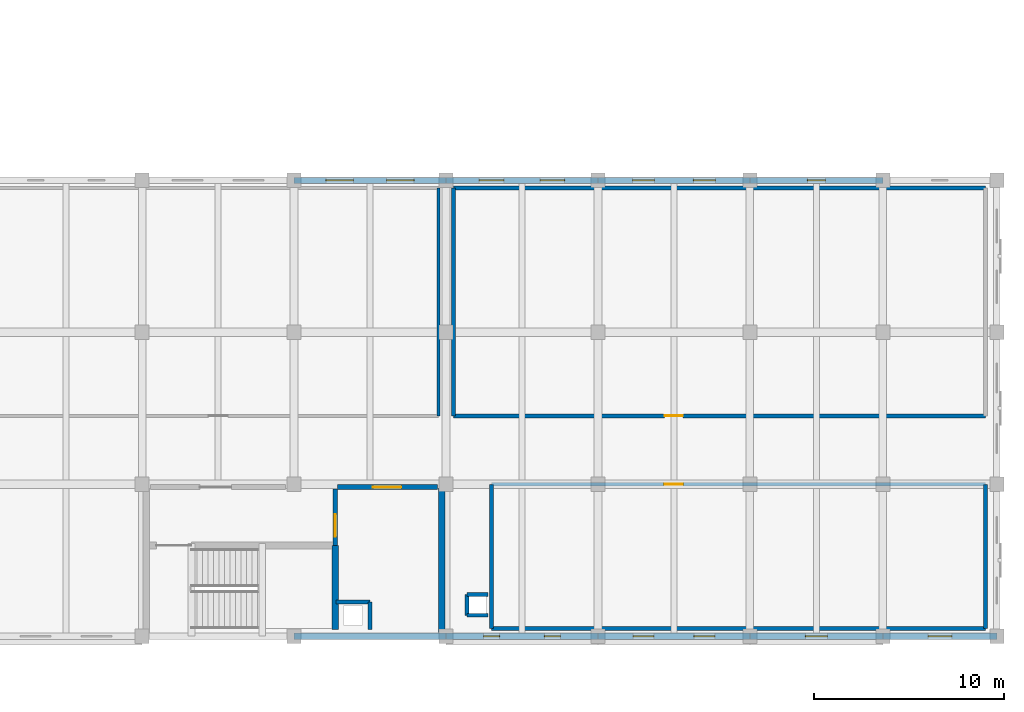
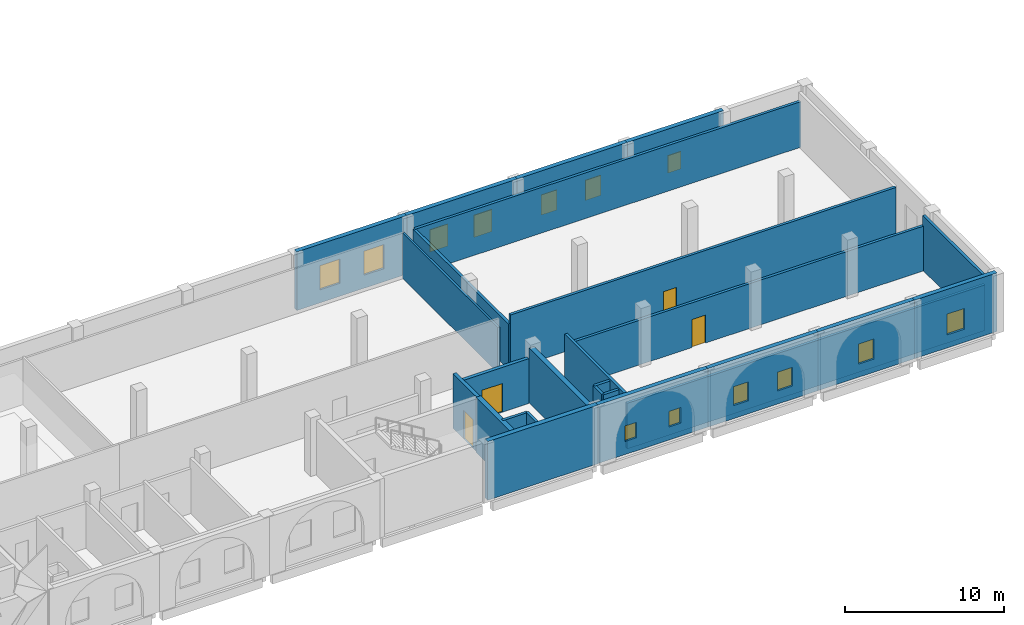
# One storey, part 35 of 53: 26 walls, 13 windows, 4 doors, 17 openings.
"""IFC4 building model written with IfcOpenShell, lengths in metres."""

import ifcopenshell
import ifcopenshell.guid

model = None  # the IFC model being written
_history = None  # IfcOwnerHistory: only IFC2X3 demands one
_inside = {}  # id of a spatial element -> (the spatial element, [elements in it])
_under = {}  # id of a project, library or spatial element -> (it, [spatial elements below it])
_declared = {}  # id of a project -> (the project, [libraries it declares])
_typed = {}  # id of a type object -> (the type object, [elements of that type])
_made_of = {}  # id of a material, layer set ... -> (it, [elements and type objects made of it])


def new_model(schema):
    """Start an empty IFC model of exactly this schema.

    Asked for "IFC4X3", IfcOpenShell would pick the latest addendum, in which some entities
    have other attributes; the version numbers below select the first issue.
    IFC2X3 requires an IfcOwnerHistory on every rooted entity: one is made here for all.
    """
    global model, _history
    if schema == "IFC4X3":
        model = ifcopenshell.file(schema_version=(4, 3, 0, 0))
    else:
        model = ifcopenshell.file(schema=schema)
    _inside.clear()
    _under.clear()
    _declared.clear()
    _typed.clear()
    _made_of.clear()
    _history = None
    if model.schema == "IFC2X3":
        org = make("IfcOrganization", Name="unknown")
        user = make(
            "IfcPersonAndOrganization",
            ThePerson=make("IfcPerson", FamilyName="unknown"),
            TheOrganization=org,
        )
        app = make(
            "IfcApplication",
            ApplicationDeveloper=org,
            Version="unknown",
            ApplicationFullName="unknown",
            ApplicationIdentifier="unknown",
        )
        _history = make(
            "IfcOwnerHistory",
            OwningUser=user,
            OwningApplication=app,
            ChangeAction="ADDED",
            CreationDate=0,
        )
    return model


def make(cls, **values):
    """One entity of the class cls with the attributes given. An attribute that is None is left unset."""
    return model.create_entity(
        cls, **{name: value for name, value in values.items() if value is not None}
    )


def rooted(cls, **values):
    """An entity with a GlobalId (a new one), such as an element, a storey or a relation."""
    return make(cls, GlobalId=ifcopenshell.guid.new(), OwnerHistory=_history, **values)


def si_unit(unit_type, name, prefix=None):
    """IfcSIUnit, for example si_unit("LENGTHUNIT", "METRE", prefix="MILLI")."""
    return make("IfcSIUnit", UnitType=unit_type, Prefix=prefix, Name=name)


def assignment(units):
    """IfcUnitAssignment: the units of a project."""
    return None if units is None else make("IfcUnitAssignment", Units=units)


def point(xyz):
    """IfcCartesianPoint."""
    return None if xyz is None else make("IfcCartesianPoint", Coordinates=xyz)


def direction(xyz):
    """IfcDirection."""
    return None if xyz is None else make("IfcDirection", DirectionRatios=xyz)


def frame(location, z_axis=None, x_axis=None):
    """IfcAxis2Placement3D, a coordinate frame: its origin and axes. An axis left out is left unset."""
    return make(
        "IfcAxis2Placement3D",
        Location=point(location),
        Axis=direction(z_axis),
        RefDirection=direction(x_axis),
    )


def frame_2d(location, x_axis=None):
    """IfcAxis2Placement2D, a coordinate frame in the plane: its origin and x axis."""
    return make(
        "IfcAxis2Placement2D", Location=point(location), RefDirection=direction(x_axis)
    )


def origin():
    """The frame at (0, 0, 0) with its axes left unset."""
    return frame((0.0, 0.0, 0.0))


def place(relative_to, where):
    """IfcLocalPlacement: puts the frame where relative to a parent placement (None: the world)."""
    return make(
        "IfcLocalPlacement", PlacementRelTo=relative_to, RelativePlacement=where
    )


def context(
    kind, dimensions, precision=None, world=None, true_north=None, identifier=None
):
    """IfcGeometricRepresentationContext, for example the 3D "Model" context."""
    return make(
        "IfcGeometricRepresentationContext",
        ContextIdentifier=identifier,
        ContextType=kind,
        CoordinateSpaceDimension=dimensions,
        Precision=precision,
        WorldCoordinateSystem=world,
        TrueNorth=true_north,
    )


def subcontext(parent, identifier, kind, view, scale=None):
    """IfcGeometricRepresentationSubContext, for example "Body" below "Model"."""
    return make(
        "IfcGeometricRepresentationSubContext",
        ContextIdentifier=identifier,
        ContextType=kind,
        ParentContext=parent,
        TargetScale=scale,
        TargetView=view,
    )


def project(units=None, contexts=None):
    """IfcProject with its units and contexts."""
    return rooted(
        "IfcProject",
        Name="project",
        RepresentationContexts=contexts,
        UnitsInContext=assignment(units),
    )


def spatial(cls, under=None, at=None, **own):
    """A site, building, storey or space (cls), placed at a placement, below another one or the project."""
    s = rooted(cls, ObjectPlacement=at, **own)
    if under is not None:
        _under.setdefault(under.id(), (under, []))[1].append(s)
    return s


def profile(cls, at=None, kind="AREA", **sizes):
    """A parametric profile (cls). Its sizes go by their IFC names, for example OverallWidth=200.0."""
    return make(cls, ProfileType=kind, Position=at, **sizes)


def rectangle(**sizes):
    """IfcRectangleProfileDef."""
    return profile("IfcRectangleProfileDef", **sizes)


def extrude(swept, where, along, depth):
    """IfcExtrudedAreaSolid: the profile swept, set in the frame where, extruded along a direction by depth."""
    return make(
        "IfcExtrudedAreaSolid",
        SweptArea=swept,
        Position=where,
        ExtrudedDirection=direction(along),
        Depth=depth,
    )


def shape(context_of_items, identifier, shape_type, items):
    """IfcShapeRepresentation: the items that make up one representation, for example the "Body"."""
    return make(
        "IfcShapeRepresentation",
        ContextOfItems=context_of_items,
        RepresentationIdentifier=identifier,
        RepresentationType=shape_type,
        Items=items,
    )


def material(Name=None, Category=None):
    """IfcMaterial."""
    return make("IfcMaterial", Name=Name, Category=Category)


def layer(
    of_material, thickness, ventilated=None, Name=None, Category=None, Priority=None
):
    """IfcMaterialLayer: one layer of a wall or slab, of a material (None: an air gap)."""
    return make(
        "IfcMaterialLayer",
        Material=of_material,
        LayerThickness=thickness,
        IsVentilated=ventilated,
        Name=Name,
        Category=Category,
        Priority=Priority,
    )


def layer_set(layers, Name=None):
    """IfcMaterialLayerSet."""
    return make("IfcMaterialLayerSet", MaterialLayers=layers, LayerSetName=Name)


def made_of(thing, what):
    """Note that an element or type object is made of a material, layer set ...; save() writes the relation."""
    if what is not None:
        _made_of.setdefault(what.id(), (what, []))[1].append(thing)
    return thing


def type_object(cls, material=None, **own):
    """A type object (cls), such as IfcWallType, which elements share."""
    return made_of(rooted(cls, **own), material)


def element(
    cls,
    number,
    at=None,
    inside=None,
    cuts=None,
    type_object=None,
    material=None,
    context=None,
    identifier="Body",
    shape_type=None,
    held_by="IfcProductDefinitionShape",
    body=None,
    shapes=None,
    **own,
):
    """One element of the class cls, such as IfcWall. Its Tag is "e" and its number.

    at: its placement. inside: the storey or other place that contains it. cuts: it is an
    opening in that element (IfcRelVoidsElement). A single representation is given by context,
    identifier, shape_type and body (its items); several are given by shapes. held_by: the class
    of the entity that holds the representations. save() writes the other relations.
    """
    e = rooted(cls, Tag="e%d" % number, ObjectPlacement=at, **own)
    if body is not None:
        shapes = [shape(context, identifier, shape_type, body)]
    if shapes is not None:
        e.Representation = make(held_by, Representations=shapes)
    if inside is not None:
        _inside.setdefault(inside.id(), (inside, []))[1].append(e)
    if cuts is not None:
        rooted(
            "IfcRelVoidsElement", RelatingBuildingElement=cuts, RelatedOpeningElement=e
        )
    if type_object is not None:
        _typed.setdefault(type_object.id(), (type_object, []))[1].append(e)
    return made_of(e, material)


def fill(opening, filler):
    """IfcRelFillsElement: the door or window that sits in an opening."""
    return rooted(
        "IfcRelFillsElement",
        RelatingOpeningElement=opening,
        RelatedBuildingElement=filler,
    )


def aggregate(whole, parts):
    """IfcRelAggregates: a whole, such as a stair, and the parts it consists of."""
    return rooted("IfcRelAggregates", RelatingObject=whole, RelatedObjects=parts)


def save(model, path):
    """Write the relations noted so far, then the file.

    IfcRelAggregates (storeys below a building ...), IfcRelContainedInSpatialStructure (elements
    in a storey), IfcRelDefinesByType, IfcRelAssociatesMaterial and IfcRelDeclares: one each for
    every whole, place, type object, material and project.
    """
    for whole, parts in _under.values():
        aggregate(whole, parts)
    for where, things in _inside.values():
        rooted(
            "IfcRelContainedInSpatialStructure",
            RelatedElements=things,
            RelatingStructure=where,
        )
    for kind, things in _typed.values():
        rooted("IfcRelDefinesByType", RelatedObjects=things, RelatingType=kind)
    for what, things in _made_of.values():
        rooted("IfcRelAssociatesMaterial", RelatedObjects=things, RelatingMaterial=what)
    for by, libraries in _declared.values():
        rooted("IfcRelDeclares", RelatingContext=by, RelatedDefinitions=libraries)
    model.write(path)


model = new_model("IFC4")

# Units and contexts
model_context = context("Model", 3, precision=1e-05, world=origin(), true_north=direction((0.0, 1.0)))
body_context = subcontext(model_context, "Body", "Model", "MODEL_VIEW")
ifc_project = project(units=[si_unit("LENGTHUNIT", "METRE"), si_unit("AREAUNIT", "SQUARE_METRE"), si_unit("VOLUMEUNIT", "CUBIC_METRE"), si_unit("PLANEANGLEUNIT", "RADIAN"), si_unit("MASSUNIT", "GRAM", prefix="KILO")], contexts=[model_context])

# Site, building, storey
site_placement = place(None, origin())
site = spatial("IfcSite", under=ifc_project, at=site_placement, CompositionType="ELEMENT")
building_placement = place(site_placement, origin())
building = spatial("IfcBuilding", under=site, at=building_placement, Name="Qorikala Patio Media Centre", CompositionType="ELEMENT")
storey_placement = place(building_placement, frame((0.0, 0.0, 5.39990234375)))
storey = spatial("IfcBuildingStorey", under=building, at=storey_placement, Name="L01", CompositionType="ELEMENT", Elevation=5.39990234375)

# Walls
ifc_material_1 = material(Name="Concrete C35/45", Category="concrete")
ifc_layer_1 = layer(ifc_material_1, 0.35009765625)
ifc_layer_set_1 = layer_set([ifc_layer_1], Name="Concrete C35/45")
wall_type_1 = type_object("IfcWallType", Name="WL-CORE-350", PredefinedType="SHEAR", material=ifc_layer_set_1)
wall_1_placement = place(storey_placement, frame((138.0, 3.0, 0.0), z_axis=(0.0, 0.0, 1.0), x_axis=(-1.0, 0.0, 0.0)))
element("IfcWall", 1, at=wall_1_placement, inside=storey, type_object=wall_type_1, Name="L01 Core C7 Exterior Shear Wall", PredefinedType="SHEAR", context=body_context, shape_type="SweptSolid", body=[
    extrude(rectangle(XDim=8.0, YDim=0.35009765625, at=frame_2d((4.0, 0.0))), origin(), (0.0, 0.0, 1.0), 4.5),
])
wall_2_placement = place(storey_placement, frame((132.175048828125, 3.35009765625, 0.0), z_axis=(0.0, 0.0, 1.0), x_axis=(0.0, 1.0, 0.0)))
element("IfcWall", 2, at=wall_2_placement, inside=storey, type_object=wall_type_1, Name="L01 Interior Wall CW-L01-C7-SE", PredefinedType="SHEAR", context=body_context, shape_type="SweptSolid", body=[
    extrude(rectangle(XDim=4.4248046875, YDim=0.35009765625, at=frame_2d((2.21240234375, 0.0))), origin(), (0.0, 0.0, 1.0), 4.2001953125),
])
wall_3_placement = place(storey_placement, frame((137.77490234375, 3.199951171875, 0.0), z_axis=(0.0, 0.0, 1.0), x_axis=(0.0, 1.0, 0.0)))
element("IfcWall", 3, at=wall_3_placement, inside=storey, type_object=wall_type_1, Name="L01 Interior Wall CW-L01-C7-EE", PredefinedType="SHEAR", context=body_context, shape_type="SweptSolid", body=[
    extrude(rectangle(XDim=7.60009765625, YDim=0.35009765625, at=frame_2d((3.800048828125, 0.0))), origin(), (0.0, 0.0, 1.0), 4.2001953125),
])

# Wall, openings, windows
ifc_material_2 = material(Name="Ivory Lime Stucco and Concrete C35/45", Category="concrete")
ifc_layer_2 = layer(ifc_material_2, 0.320068359375)
ifc_layer_set_2 = layer_set([ifc_layer_2], Name="Ivory Lime Stucco and Concrete C35/45")
wall_type_2 = type_object("IfcWallType", Name="WL-EXT-320", PredefinedType="SOLIDWALL", material=ifc_layer_set_2)
wall_4_placement = place(storey_placement, frame((130.0, 27.0, 0.0), z_axis=(0.0, 0.0, 1.0), x_axis=(1.0, 0.0, 0.0)))
wall_4 = element("IfcWall", 4, at=wall_4_placement, inside=storey, type_object=wall_type_2, Name="L01 Exterior Wall WL-L01-EXT-0051", PredefinedType="SOLIDWALL", context=body_context, shape_type="SweptSolid", body=[
    extrude(rectangle(XDim=8.0, YDim=0.320068359375, at=frame_2d((4.0, 0.0))), origin(), (0.0, 0.0, 1.0), 4.5),
])
opening_1_placement = place(wall_4_placement, frame((1.675048828125, 0.0, 1.0)))
opening_1 = element("IfcOpeningElement", 5, at=opening_1_placement, cuts=wall_4, Name="Opening WE-145", PredefinedType="OPENING", context=body_context, shape_type="SweptSolid", body=[
    extrude(rectangle(XDim=1.449951171875, YDim=1.85009765625, at=frame_2d((0.72509765625, 0.925048828125))), frame((0.0, 0.169921875, 0.0), z_axis=(0.0, -1.0, 0.0), x_axis=(1.0, 0.0, 0.0)), (0.0, 0.0, 1.0), 0.340087890625),
])
opening_2_placement = place(wall_4_placement, frame((4.875, 0.0, 1.0)))
opening_2 = element("IfcOpeningElement", 6, at=opening_2_placement, cuts=wall_4, Name="Opening WE-145", PredefinedType="OPENING", context=body_context, shape_type="SweptSolid", body=[
    extrude(rectangle(XDim=1.449951171875, YDim=1.85009765625, at=frame_2d((0.72509765625, 0.925048828125))), frame((0.0, 0.169921875, 0.0), z_axis=(0.0, -1.0, 0.0), x_axis=(1.0, 0.0, 0.0)), (0.0, 0.0, 1.0), 0.340087890625),
])
ifc_material_3 = material(Name="Bronze Anodised Aluminium and Low-E Glass", Category="aluminium")
window_type_1 = type_object("IfcWindowType", Name="WN-ED-145X185", PartitioningType="SINGLE_PANEL", PredefinedType="WINDOW", material=ifc_material_3)
window_1_placement = place(opening_1_placement, origin())
window_1 = element("IfcWindow", 7, at=window_1_placement, inside=storey, type_object=window_type_1, Name="L01 Editing Wing Casement Window 0103", OverallHeight=1.85009765625, OverallWidth=1.449951171875, PartitioningType="SINGLE_PANEL", PredefinedType="WINDOW", context=body_context, shape_type="SweptSolid", body=[
    extrude(rectangle(XDim=1.449951171875, YDim=1.85009765625, at=frame_2d((0.72509765625, 0.925048828125))), frame((0.0, 0.030029296875, 0.0), z_axis=(0.0, -1.0, 0.0), x_axis=(1.0, 0.0, 0.0)), (0.0, 0.0, 1.0), 0.06005859375),
])
fill(opening_1, window_1)
window_2_placement = place(opening_2_placement, origin())
window_2 = element("IfcWindow", 8, at=window_2_placement, inside=storey, type_object=window_type_1, Name="L01 Editing Wing Casement Window 0104", OverallHeight=1.85009765625, OverallWidth=1.449951171875, PartitioningType="SINGLE_PANEL", PredefinedType="WINDOW", context=body_context, shape_type="SweptSolid", body=[
    extrude(rectangle(XDim=1.449951171875, YDim=1.85009765625, at=frame_2d((0.72509765625, 0.925048828125))), frame((0.0, 0.030029296875, 0.0), z_axis=(0.0, -1.0, 0.0), x_axis=(1.0, 0.0, 0.0)), (0.0, 0.0, 1.0), 0.06005859375),
])
fill(opening_2, window_2)

wall_5_placement = place(storey_placement, frame((138.0, 27.0, 0.0), z_axis=(0.0, 0.0, 1.0), x_axis=(1.0, 0.0, 0.0)))
wall_5 = element("IfcWall", 9, at=wall_5_placement, inside=storey, type_object=wall_type_2, Name="L01 Exterior Wall WL-L01-EXT-0052", PredefinedType="SOLIDWALL", context=body_context, shape_type="SweptSolid", body=[
    extrude(rectangle(XDim=8.0, YDim=0.320068359375, at=frame_2d((4.0, 0.0))), origin(), (0.0, 0.0, 1.0), 4.5),
])
opening_3_placement = place(wall_5_placement, frame((1.75, 0.0, 1.0)))
opening_3 = element("IfcOpeningElement", 10, at=opening_3_placement, cuts=wall_5, Name="Opening WE-130", PredefinedType="OPENING", context=body_context, shape_type="SweptSolid", body=[
    extrude(rectangle(XDim=1.300048828125, YDim=1.699951171875, at=frame_2d((0.64990234375, 0.85009765625))), frame((0.0, 0.169921875, 0.0), z_axis=(0.0, -1.0, 0.0), x_axis=(1.0, 0.0, 0.0)), (0.0, 0.0, 1.0), 0.340087890625),
])
opening_4_placement = place(wall_5_placement, frame((4.949951171875, 0.0, 1.0)))
opening_4 = element("IfcOpeningElement", 11, at=opening_4_placement, cuts=wall_5, Name="Opening WE-130", PredefinedType="OPENING", context=body_context, shape_type="SweptSolid", body=[
    extrude(rectangle(XDim=1.300048828125, YDim=1.699951171875, at=frame_2d((0.64990234375, 0.85009765625))), frame((0.0, 0.169921875, 0.0), z_axis=(0.0, -1.0, 0.0), x_axis=(1.0, 0.0, 0.0)), (0.0, 0.0, 1.0), 0.340087890625),
])
window_type_2 = type_object("IfcWindowType", Name="WN-ED-130X170", PartitioningType="SINGLE_PANEL", PredefinedType="WINDOW", material=ifc_material_3)
window_3_placement = place(opening_3_placement, origin())
window_3 = element("IfcWindow", 12, at=window_3_placement, inside=storey, type_object=window_type_2, Name="L01 Editing Wing Casement Window 0105", OverallHeight=1.699951171875, OverallWidth=1.300048828125, PartitioningType="SINGLE_PANEL", PredefinedType="WINDOW", context=body_context, shape_type="SweptSolid", body=[
    extrude(rectangle(XDim=1.300048828125, YDim=1.699951171875, at=frame_2d((0.64990234375, 0.85009765625))), frame((0.0, 0.030029296875, 0.0), z_axis=(0.0, -1.0, 0.0), x_axis=(1.0, 0.0, 0.0)), (0.0, 0.0, 1.0), 0.06005859375),
])
fill(opening_3, window_3)
window_4_placement = place(opening_4_placement, origin())
window_4 = element("IfcWindow", 13, at=window_4_placement, inside=storey, type_object=window_type_2, Name="L01 Editing Wing Casement Window 0106", OverallHeight=1.699951171875, OverallWidth=1.300048828125, PartitioningType="SINGLE_PANEL", PredefinedType="WINDOW", context=body_context, shape_type="SweptSolid", body=[
    extrude(rectangle(XDim=1.300048828125, YDim=1.699951171875, at=frame_2d((0.64990234375, 0.85009765625))), frame((0.0, 0.030029296875, 0.0), z_axis=(0.0, -1.0, 0.0), x_axis=(1.0, 0.0, 0.0)), (0.0, 0.0, 1.0), 0.06005859375),
])
fill(opening_4, window_4)

wall_6_placement = place(storey_placement, frame((146.0, 27.0, 0.0), z_axis=(0.0, 0.0, 1.0), x_axis=(1.0, 0.0, 0.0)))
wall_6 = element("IfcWall", 14, at=wall_6_placement, inside=storey, type_object=wall_type_2, Name="L01 Exterior Wall WL-L01-EXT-0053", PredefinedType="SOLIDWALL", context=body_context, shape_type="SweptSolid", body=[
    extrude(rectangle(XDim=8.0, YDim=0.320068359375, at=frame_2d((4.0, 0.0))), origin(), (0.0, 0.0, 1.0), 4.5),
])
opening_5_placement = place(wall_6_placement, frame((1.824951171875, 0.0, 1.0)))
opening_5 = element("IfcOpeningElement", 15, at=opening_5_placement, cuts=wall_6, Name="Opening WE-115", PredefinedType="OPENING", context=body_context, shape_type="SweptSolid", body=[
    extrude(rectangle(XDim=1.14990234375, YDim=1.550048828125, at=frame_2d((0.574951171875, 0.77490234375))), frame((0.0, 0.169921875, 0.0), z_axis=(0.0, -1.0, 0.0), x_axis=(1.0, 0.0, 0.0)), (0.0, 0.0, 1.0), 0.340087890625),
])
opening_6_placement = place(wall_6_placement, frame((5.02490234375, 0.0, 1.0)))
opening_6 = element("IfcOpeningElement", 16, at=opening_6_placement, cuts=wall_6, Name="Opening WE-115", PredefinedType="OPENING", context=body_context, shape_type="SweptSolid", body=[
    extrude(rectangle(XDim=1.14990234375, YDim=1.550048828125, at=frame_2d((0.574951171875, 0.77490234375))), frame((0.0, 0.169921875, 0.0), z_axis=(0.0, -1.0, 0.0), x_axis=(1.0, 0.0, 0.0)), (0.0, 0.0, 1.0), 0.340087890625),
])
window_type_3 = type_object("IfcWindowType", Name="WN-ED-115X155", PartitioningType="SINGLE_PANEL", PredefinedType="WINDOW", material=ifc_material_3)
window_5_placement = place(opening_5_placement, origin())
window_5 = element("IfcWindow", 17, at=window_5_placement, inside=storey, type_object=window_type_3, Name="L01 Editing Wing Casement Window 0107", OverallHeight=1.550048828125, OverallWidth=1.14990234375, PartitioningType="SINGLE_PANEL", PredefinedType="WINDOW", context=body_context, shape_type="SweptSolid", body=[
    extrude(rectangle(XDim=1.14990234375, YDim=1.550048828125, at=frame_2d((0.574951171875, 0.77490234375))), frame((0.0, 0.030029296875, 0.0), z_axis=(0.0, -1.0, 0.0), x_axis=(1.0, 0.0, 0.0)), (0.0, 0.0, 1.0), 0.06005859375),
])
fill(opening_5, window_5)
window_6_placement = place(opening_6_placement, origin())
window_6 = element("IfcWindow", 18, at=window_6_placement, inside=storey, type_object=window_type_3, Name="L01 Editing Wing Casement Window 0108", OverallHeight=1.550048828125, OverallWidth=1.14990234375, PartitioningType="SINGLE_PANEL", PredefinedType="WINDOW", context=body_context, shape_type="SweptSolid", body=[
    extrude(rectangle(XDim=1.14990234375, YDim=1.550048828125, at=frame_2d((0.574951171875, 0.77490234375))), frame((0.0, 0.030029296875, 0.0), z_axis=(0.0, -1.0, 0.0), x_axis=(1.0, 0.0, 0.0)), (0.0, 0.0, 1.0), 0.06005859375),
])
fill(opening_6, window_6)

# Wall, opening, window
wall_7_placement = place(storey_placement, frame((154.0, 27.0, 0.0), z_axis=(0.0, 0.0, 1.0), x_axis=(1.0, 0.0, 0.0)))
wall_7 = element("IfcWall", 19, at=wall_7_placement, inside=storey, type_object=wall_type_2, Name="L01 Exterior Wall WL-L01-EXT-0054", PredefinedType="SOLIDWALL", context=body_context, shape_type="SweptSolid", body=[
    extrude(rectangle(XDim=7.0, YDim=0.320068359375, at=frame_2d((3.5, 0.0))), origin(), (0.0, 0.0, 1.0), 4.5),
])
opening_7_placement = place(wall_7_placement, frame((3.02490234375, 0.0, 1.0)))
opening_7 = element("IfcOpeningElement", 20, at=opening_7_placement, cuts=wall_7, Name="Opening WE-095", PredefinedType="OPENING", context=body_context, shape_type="SweptSolid", body=[
    extrude(rectangle(XDim=0.949951171875, YDim=1.35009765625, at=frame_2d((0.47509765625, 0.675048828125))), frame((0.0, 0.169921875, 0.0), z_axis=(0.0, -1.0, 0.0), x_axis=(1.0, 0.0, 0.0)), (0.0, 0.0, 1.0), 0.340087890625),
])
window_type_4 = type_object("IfcWindowType", Name="WN-ED-095X135", PartitioningType="SINGLE_PANEL", PredefinedType="WINDOW", material=ifc_material_3)
window_7_placement = place(opening_7_placement, origin())
window_7 = element("IfcWindow", 21, at=window_7_placement, inside=storey, type_object=window_type_4, Name="L01 Editing Wing Casement Window 0109", OverallHeight=1.35009765625, OverallWidth=0.949951171875, PartitioningType="SINGLE_PANEL", PredefinedType="WINDOW", context=body_context, shape_type="SweptSolid", body=[
    extrude(rectangle(XDim=0.949951171875, YDim=1.35009765625, at=frame_2d((0.47509765625, 0.675048828125))), frame((0.0, 0.030029296875, 0.0), z_axis=(0.0, -1.0, 0.0), x_axis=(1.0, 0.0, 0.0)), (0.0, 0.0, 1.0), 0.06005859375),
])
fill(opening_7, window_7)

wall_8_placement = place(storey_placement, frame((167.0, 3.0, 0.0), z_axis=(0.0, 0.0, 1.0), x_axis=(-1.0, 0.0, 0.0)))
wall_8 = element("IfcWall", 22, at=wall_8_placement, inside=storey, type_object=wall_type_2, Name="L01 Exterior Wall WL-L01-EXT-0059", PredefinedType="SOLIDWALL", context=body_context, shape_type="SweptSolid", body=[
    extrude(rectangle(XDim=6.0, YDim=0.320068359375, at=frame_2d((3.0, 0.0))), origin(), (0.0, 0.0, 1.0), 4.5),
])
opening_8_placement = place(wall_8_placement, frame((2.375, 0.0, 1.0)))
opening_8 = element("IfcOpeningElement", 23, at=opening_8_placement, cuts=wall_8, Name="Opening WE-125", PredefinedType="OPENING", context=body_context, shape_type="SweptSolid", body=[
    extrude(rectangle(XDim=1.25, YDim=1.60009765625, at=frame_2d((0.625, 0.800048828125))), frame((0.0, 0.169921875, 0.0), z_axis=(0.0, -1.0, 0.0), x_axis=(1.0, 0.0, 0.0)), (0.0, 0.0, 1.0), 0.340087890625),
])
window_type_5 = type_object("IfcWindowType", Name="WN-ED-125X160", PartitioningType="SINGLE_PANEL", PredefinedType="WINDOW", material=ifc_material_3)
window_8_placement = place(opening_8_placement, origin())
window_8 = element("IfcWindow", 24, at=window_8_placement, inside=storey, type_object=window_type_5, Name="L01 Editing Wing Casement Window 0117", OverallHeight=1.60009765625, OverallWidth=1.25, PartitioningType="SINGLE_PANEL", PredefinedType="WINDOW", context=body_context, shape_type="SweptSolid", body=[
    extrude(rectangle(XDim=1.25, YDim=1.60009765625, at=frame_2d((0.625, 0.800048828125))), frame((0.0, 0.030029296875, 0.0), z_axis=(0.0, -1.0, 0.0), x_axis=(1.0, 0.0, 0.0)), (0.0, 0.0, 1.0), 0.06005859375),
])
fill(opening_8, window_8)

wall_9_placement = place(storey_placement, frame((161.0, 3.0, 0.0), z_axis=(0.0, 0.0, 1.0), x_axis=(-1.0, 0.0, 0.0)))
wall_9 = element("IfcWall", 25, at=wall_9_placement, inside=storey, type_object=wall_type_2, Name="L01 Exterior Wall WL-L01-EXT-0060", PredefinedType="SOLIDWALL", context=body_context, shape_type="SweptSolid", body=[
    extrude(rectangle(XDim=7.0, YDim=0.320068359375, at=frame_2d((3.5, 0.0))), origin(), (0.0, 0.0, 1.0), 4.5),
])
opening_9_placement = place(wall_9_placement, frame((2.925048828125, 0.0, 1.0)))
opening_9 = element("IfcOpeningElement", 26, at=opening_9_placement, cuts=wall_9, Name="Opening WE-115", PredefinedType="OPENING", context=body_context, shape_type="SweptSolid", body=[
    extrude(rectangle(XDim=1.14990234375, YDim=1.550048828125, at=frame_2d((0.574951171875, 0.77490234375))), frame((0.0, 0.169921875, 0.0), z_axis=(0.0, -1.0, 0.0), x_axis=(1.0, 0.0, 0.0)), (0.0, 0.0, 1.0), 0.340087890625),
])
window_9_placement = place(opening_9_placement, origin())
window_9 = element("IfcWindow", 27, at=window_9_placement, inside=storey, type_object=window_type_3, Name="L01 Editing Wing Casement Window 0118", OverallHeight=1.550048828125, OverallWidth=1.14990234375, PartitioningType="SINGLE_PANEL", PredefinedType="WINDOW", context=body_context, shape_type="SweptSolid", body=[
    extrude(rectangle(XDim=1.14990234375, YDim=1.550048828125, at=frame_2d((0.574951171875, 0.77490234375))), frame((0.0, 0.030029296875, 0.0), z_axis=(0.0, -1.0, 0.0), x_axis=(1.0, 0.0, 0.0)), (0.0, 0.0, 1.0), 0.06005859375),
])
fill(opening_9, window_9)

# Wall, openings, windows
wall_10_placement = place(storey_placement, frame((154.0, 3.0, 0.0), z_axis=(0.0, 0.0, 1.0), x_axis=(-1.0, 0.0, 0.0)))
wall_10 = element("IfcWall", 28, at=wall_10_placement, inside=storey, type_object=wall_type_2, Name="L01 Exterior Wall WL-L01-EXT-0061", PredefinedType="SOLIDWALL", context=body_context, shape_type="SweptSolid", body=[
    extrude(rectangle(XDim=8.0, YDim=0.320068359375, at=frame_2d((4.0, 0.0))), origin(), (0.0, 0.0, 1.0), 4.5),
])
opening_10_placement = place(wall_10_placement, frame((1.85009765625, 0.0, 1.0)))
opening_10 = element("IfcOpeningElement", 29, at=opening_10_placement, cuts=wall_10, Name="Opening WE-110", PredefinedType="OPENING", context=body_context, shape_type="SweptSolid", body=[
    extrude(rectangle(XDim=1.10009765625, YDim=1.449951171875, at=frame_2d((0.550048828125, 0.72509765625))), frame((0.0, 0.169921875, 0.0), z_axis=(0.0, -1.0, 0.0), x_axis=(1.0, 0.0, 0.0)), (0.0, 0.0, 1.0), 0.340087890625),
])
opening_11_placement = place(wall_10_placement, frame((5.050048828125, 0.0, 1.0)))
opening_11 = element("IfcOpeningElement", 30, at=opening_11_placement, cuts=wall_10, Name="Opening WE-110", PredefinedType="OPENING", context=body_context, shape_type="SweptSolid", body=[
    extrude(rectangle(XDim=1.10009765625, YDim=1.449951171875, at=frame_2d((0.550048828125, 0.72509765625))), frame((0.0, 0.169921875, 0.0), z_axis=(0.0, -1.0, 0.0), x_axis=(1.0, 0.0, 0.0)), (0.0, 0.0, 1.0), 0.340087890625),
])
window_type_6 = type_object("IfcWindowType", Name="WN-ED-110X145", PartitioningType="SINGLE_PANEL", PredefinedType="WINDOW", material=ifc_material_3)
window_10_placement = place(opening_10_placement, origin())
window_10 = element("IfcWindow", 31, at=window_10_placement, inside=storey, type_object=window_type_6, Name="L01 Editing Wing Casement Window 0119", OverallHeight=1.449951171875, OverallWidth=1.10009765625, PartitioningType="SINGLE_PANEL", PredefinedType="WINDOW", context=body_context, shape_type="SweptSolid", body=[
    extrude(rectangle(XDim=1.10009765625, YDim=1.449951171875, at=frame_2d((0.550048828125, 0.72509765625))), frame((0.0, 0.030029296875, 0.0), z_axis=(0.0, -1.0, 0.0), x_axis=(1.0, 0.0, 0.0)), (0.0, 0.0, 1.0), 0.06005859375),
])
fill(opening_10, window_10)
window_11_placement = place(opening_11_placement, origin())
window_11 = element("IfcWindow", 32, at=window_11_placement, inside=storey, type_object=window_type_6, Name="L01 Editing Wing Casement Window 0120", OverallHeight=1.449951171875, OverallWidth=1.10009765625, PartitioningType="SINGLE_PANEL", PredefinedType="WINDOW", context=body_context, shape_type="SweptSolid", body=[
    extrude(rectangle(XDim=1.10009765625, YDim=1.449951171875, at=frame_2d((0.550048828125, 0.72509765625))), frame((0.0, 0.030029296875, 0.0), z_axis=(0.0, -1.0, 0.0), x_axis=(1.0, 0.0, 0.0)), (0.0, 0.0, 1.0), 0.06005859375),
])
fill(opening_11, window_11)

wall_11_placement = place(storey_placement, frame((146.0, 3.0, 0.0), z_axis=(0.0, 0.0, 1.0), x_axis=(-1.0, 0.0, 0.0)))
wall_11 = element("IfcWall", 33, at=wall_11_placement, inside=storey, type_object=wall_type_2, Name="L01 Exterior Wall WL-L01-EXT-0062", PredefinedType="SOLIDWALL", context=body_context, shape_type="SweptSolid", body=[
    extrude(rectangle(XDim=8.0, YDim=0.320068359375, at=frame_2d((4.0, 0.0))), origin(), (0.0, 0.0, 1.0), 4.5),
])
opening_12_placement = place(wall_11_placement, frame((1.97509765625, 0.0, 1.0)))
opening_12 = element("IfcOpeningElement", 34, at=opening_12_placement, cuts=wall_11, Name="Opening WE-085", PredefinedType="OPENING", context=body_context, shape_type="SweptSolid", body=[
    extrude(rectangle(XDim=0.85009765625, YDim=1.199951171875, at=frame_2d((0.425048828125, 0.60009765625))), frame((0.0, 0.169921875, 0.0), z_axis=(0.0, -1.0, 0.0), x_axis=(1.0, 0.0, 0.0)), (0.0, 0.0, 1.0), 0.340087890625),
])
opening_13_placement = place(wall_11_placement, frame((5.175048828125, 0.0, 1.0)))
opening_13 = element("IfcOpeningElement", 35, at=opening_13_placement, cuts=wall_11, Name="Opening WE-085", PredefinedType="OPENING", context=body_context, shape_type="SweptSolid", body=[
    extrude(rectangle(XDim=0.85009765625, YDim=1.199951171875, at=frame_2d((0.425048828125, 0.60009765625))), frame((0.0, 0.169921875, 0.0), z_axis=(0.0, -1.0, 0.0), x_axis=(1.0, 0.0, 0.0)), (0.0, 0.0, 1.0), 0.340087890625),
])
window_type_7 = type_object("IfcWindowType", Name="WN-ED-085X120", PartitioningType="SINGLE_PANEL", PredefinedType="WINDOW", material=ifc_material_3)
window_12_placement = place(opening_12_placement, origin())
window_12 = element("IfcWindow", 36, at=window_12_placement, inside=storey, type_object=window_type_7, Name="L01 Editing Wing Casement Window 0121", OverallHeight=1.199951171875, OverallWidth=0.85009765625, PartitioningType="SINGLE_PANEL", PredefinedType="WINDOW", context=body_context, shape_type="SweptSolid", body=[
    extrude(rectangle(XDim=0.85009765625, YDim=1.199951171875, at=frame_2d((0.425048828125, 0.60009765625))), frame((0.0, 0.030029296875, 0.0), z_axis=(0.0, -1.0, 0.0), x_axis=(1.0, 0.0, 0.0)), (0.0, 0.0, 1.0), 0.06005859375),
])
fill(opening_12, window_12)
window_13_placement = place(opening_13_placement, origin())
window_13 = element("IfcWindow", 37, at=window_13_placement, inside=storey, type_object=window_type_7, Name="L01 Editing Wing Casement Window 0122", OverallHeight=1.199951171875, OverallWidth=0.85009765625, PartitioningType="SINGLE_PANEL", PredefinedType="WINDOW", context=body_context, shape_type="SweptSolid", body=[
    extrude(rectangle(XDim=0.85009765625, YDim=1.199951171875, at=frame_2d((0.425048828125, 0.60009765625))), frame((0.0, 0.030029296875, 0.0), z_axis=(0.0, -1.0, 0.0), x_axis=(1.0, 0.0, 0.0)), (0.0, 0.0, 1.0), 0.06005859375),
])
fill(opening_13, window_13)

# Wall, opening, door
ifc_layer_3 = layer(ifc_material_1, 0.25)
ifc_layer_set_3 = layer_set([ifc_layer_3], Name="Concrete C35/45")
wall_type_3 = type_object("IfcWallType", Name="WL-FFL-250", PredefinedType="PARTITIONING", material=ifc_layer_set_3)
wall_12_placement = place(storey_placement, frame((132.175048828125, 7.77490234375, 0.0), z_axis=(0.0, 0.0, 1.0), x_axis=(0.0, 1.0, 0.0)))
wall_12 = element("IfcWall", 38, at=wall_12_placement, inside=storey, type_object=wall_type_3, Name="L01 Interior Wall CW-L01-C7-LBD", PredefinedType="PARTITIONING", context=body_context, shape_type="SweptSolid", body=[
    extrude(rectangle(XDim=2.97509765625, YDim=0.25, at=frame_2d((1.487548828125, 0.0))), origin(), (0.0, 0.0, 1.0), 4.2001953125),
])
opening_14_placement = place(wall_12_placement, frame((0.449951171875, 0.0, 0.0)))
opening_14 = element("IfcOpeningElement", 39, at=opening_14_placement, cuts=wall_12, Name="Opening D205", PredefinedType="OPENING", context=body_context, shape_type="SweptSolid", body=[
    extrude(rectangle(XDim=1.199951171875, YDim=2.199951171875, at=frame_2d((0.60009765625, 1.10009765625))), frame((0.0, 0.135009765625, 0.0), z_axis=(0.0, -1.0, 0.0), x_axis=(1.0, 0.0, 0.0)), (0.0, 0.0, 1.0), 0.27001953125),
])
ifc_material_4 = material(Name="Acoustic Fire Timber and Steel", Category="steel")
door_type_1 = type_object("IfcDoorType", Name="DR-FD60-120X220", OperationType="NOTDEFINED", PredefinedType="DOOR", material=ifc_material_4)
door_1_placement = place(opening_14_placement, origin())
door_1 = element("IfcDoor", 40, at=door_1_placement, inside=storey, type_object=door_type_1, Name="L01 Core C7 Firefighting Lobby Cross Door", OperationType="SINGLE_SWING_RIGHT", OverallHeight=2.199951171875, OverallWidth=1.199951171875, PredefinedType="DOOR", context=body_context, shape_type="SweptSolid", body=[
    extrude(rectangle(XDim=1.199951171875, YDim=2.199951171875, at=frame_2d((0.60009765625, 1.10009765625))), frame((0.0, 0.02490234375, 0.0), z_axis=(0.0, -1.0, 0.0), x_axis=(1.0, 0.0, 0.0)), (0.0, 0.0, 1.0), 0.050048828125),
])
fill(opening_14, door_1)

wall_13_placement = place(storey_placement, frame((132.300048828125, 10.85009765625, 0.0), z_axis=(0.0, 0.0, 1.0), x_axis=(1.0, 0.0, 0.0)))
wall_13 = element("IfcWall", 41, at=wall_13_placement, inside=storey, type_object=wall_type_3, Name="L01 Interior Wall CW-L01-C7-CN2", PredefinedType="PARTITIONING", context=body_context, shape_type="SweptSolid", body=[
    extrude(rectangle(XDim=5.25, YDim=0.25, at=frame_2d((2.625, 0.0))), origin(), (0.0, 0.0, 1.0), 3.43505859375),
])
opening_15_placement = place(wall_13_placement, frame((1.85009765625, 0.0, 0.0)))
opening_15 = element("IfcOpeningElement", 42, at=opening_15_placement, cuts=wall_13, Name="Opening D207", PredefinedType="OPENING", context=body_context, shape_type="SweptSolid", body=[
    extrude(rectangle(XDim=1.5, YDim=2.199951171875, at=frame_2d((0.75, 1.10009765625))), frame((0.0, 0.135009765625, 0.0), z_axis=(0.0, -1.0, 0.0), x_axis=(1.0, 0.0, 0.0)), (0.0, 0.0, 1.0), 0.27001953125),
])
ifc_material_5 = material(Name="Powder-Coated Acoustic Fire Steel", Category="steel")
door_type_2 = type_object("IfcDoorType", Name="DR-FD60-150X220", OperationType="DOUBLE_DOOR_SINGLE_SWING", PredefinedType="DOOR", material=ifc_material_5)
door_2_placement = place(opening_15_placement, origin())
door_2 = element("IfcDoor", 43, at=door_2_placement, inside=storey, type_object=door_type_2, Name="L01 Core C7 Firefighting Lobby Door", OperationType="DOUBLE_DOOR_SINGLE_SWING", OverallHeight=2.199951171875, OverallWidth=1.5, PredefinedType="DOOR", context=body_context, shape_type="SweptSolid", body=[
    extrude(rectangle(XDim=1.5, YDim=2.199951171875, at=frame_2d((0.75, 1.10009765625))), frame((0.0, 0.02490234375, 0.0), z_axis=(0.0, -1.0, 0.0), x_axis=(1.0, 0.0, 0.0)), (0.0, 0.0, 1.0), 0.050048828125),
])
fill(opening_15, door_2)

# Walls
ifc_material_6 = material(Name="Acoustic Gypsum Stud Partition")
ifc_layer_4 = layer(ifc_material_6, 0.14990234375)
ifc_layer_set_4 = layer_set([ifc_layer_4], Name="Acoustic Gypsum Stud Partition")
wall_type_4 = type_object("IfcWallType", Name="WL-PT-150", PredefinedType="PARTITIONING", material=ifc_layer_set_4)
wall_14_placement = place(storey_placement, frame((137.60009765625, 14.60009765625, 0.0), z_axis=(0.0, 0.0, 1.0), x_axis=(0.0, 1.0, 0.0)))
element("IfcWall", 44, at=wall_14_placement, inside=storey, type_object=wall_type_4, Name="L01 Interior Wall WINT-L01-ED12-E", PredefinedType="PARTITIONING", context=body_context, shape_type="SweptSolid", body=[
    extrude(rectangle(XDim=12.0, YDim=0.14990234375, at=frame_2d((6.0, 0.0))), origin(), (0.0, 0.0, 1.0), 3.485107421875),
])
ifc_material_7 = material(Name="Acoustic Masonry and Plaster Concrete C30/37", Category="masonry")
ifc_layer_5 = layer(ifc_material_7, 0.199951171875)
ifc_layer_set_5 = layer_set([ifc_layer_5], Name="Acoustic Masonry and Plaster Concrete C30/37")
wall_type_5 = type_object("IfcWallType", Name="WL-ST-200", PredefinedType="PARTITIONING", material=ifc_layer_set_5)
wall_15_placement = place(storey_placement, frame((132.199951171875, 4.800048828125, 0.0), z_axis=(0.0, 0.0, 1.0), x_axis=(1.0, 0.0, 0.0)))
element("IfcWall", 45, at=wall_15_placement, inside=storey, type_object=wall_type_5, Name="L01 Interior Wall CW-L01-C7-RSN", PredefinedType="PARTITIONING", context=body_context, shape_type="SweptSolid", body=[
    extrude(rectangle(XDim=1.800048828125, YDim=0.199951171875, at=frame_2d((0.89990234375, 0.0))), origin(), (0.0, 0.0, 1.0), 4.2001953125),
])
wall_16_placement = place(storey_placement, frame((134.0, 3.35009765625, 0.0), z_axis=(0.0, 0.0, 1.0), x_axis=(0.0, 1.0, 0.0)))
element("IfcWall", 46, at=wall_16_placement, inside=storey, type_object=wall_type_5, Name="L01 Interior Wall CW-L01-C7-RSE", PredefinedType="PARTITIONING", context=body_context, shape_type="SweptSolid", body=[
    extrude(rectangle(XDim=1.449951171875, YDim=0.199951171875, at=frame_2d((0.72509765625, 0.0))), origin(), (0.0, 0.0, 1.0), 4.2001953125),
])
wall_17_placement = place(storey_placement, frame((140.39990234375, 3.39990234375, 0.0), z_axis=(0.0, 0.0, 1.0), x_axis=(1.0, 0.0, 0.0)))
element("IfcWall", 47, at=wall_17_placement, inside=storey, type_object=wall_type_5, Name="L01 Interior Wall WINT-L01-CLT1-S", PredefinedType="PARTITIONING", context=body_context, shape_type="SweptSolid", body=[
    extrude(rectangle(XDim=26.0, YDim=0.199951171875, at=frame_2d((13.0, 0.0))), origin(), (0.0, 0.0, 1.0), 3.505126953125),
])
wall_18_placement = place(storey_placement, frame((166.39990234375, 3.39990234375, 0.0), z_axis=(0.0, 0.0, 1.0), x_axis=(0.0, 1.0, 0.0)))
element("IfcWall", 48, at=wall_18_placement, inside=storey, type_object=wall_type_5, Name="L01 Interior Wall WINT-L01-CLT1-E", PredefinedType="PARTITIONING", context=body_context, shape_type="SweptSolid", body=[
    extrude(rectangle(XDim=7.60009765625, YDim=0.199951171875, at=frame_2d((3.800048828125, 0.0))), origin(), (0.0, 0.0, 1.0), 4.2001953125),
])

# Wall, opening, door
wall_19_placement = place(storey_placement, frame((140.39990234375, 11.0, 0.0), z_axis=(0.0, 0.0, 1.0), x_axis=(1.0, 0.0, 0.0)))
wall_19 = element("IfcWall", 49, at=wall_19_placement, inside=storey, type_object=wall_type_5, Name="L01 Interior Wall WINT-L01-CLT1-N", PredefinedType="PARTITIONING", context=body_context, shape_type="SweptSolid", body=[
    extrude(rectangle(XDim=26.0, YDim=0.199951171875, at=frame_2d((13.0, 0.0))), origin(), (0.0, 0.0, 1.0), 3.43505859375),
])
opening_16_placement = place(wall_19_placement, frame((9.0859375, 0.0, 0.0)))
opening_16 = element("IfcOpeningElement", 50, at=opening_16_placement, cuts=wall_19, Name="Opening D259", PredefinedType="OPENING", context=body_context, shape_type="SweptSolid", body=[
    extrude(rectangle(XDim=1.0, YDim=2.14990234375, at=frame_2d((0.5, 1.074951171875))), frame((0.0, 0.10986328125, 0.0), z_axis=(0.0, -1.0, 0.0), x_axis=(1.0, 0.0, 0.0)), (0.0, 0.0, 1.0), 0.219970703125),
])
door_type_3 = type_object("IfcDoorType", Name="DR-FD60-100X215", OperationType="NOTDEFINED", PredefinedType="DOOR", material=ifc_material_4)
door_3_placement = place(opening_16_placement, origin())
door_3 = element("IfcDoor", 51, at=door_3_placement, inside=storey, type_object=door_type_3, Name="Colour Timing Suite 101 Door 048", OperationType="SINGLE_SWING_RIGHT", OverallHeight=2.14990234375, OverallWidth=1.0, PredefinedType="DOOR", context=body_context, shape_type="SweptSolid", body=[
    extrude(rectangle(XDim=1.0, YDim=2.14990234375, at=frame_2d((0.5, 1.074951171875))), frame((0.0, 0.02490234375, 0.0), z_axis=(0.0, -1.0, 0.0), x_axis=(1.0, 0.0, 0.0)), (0.0, 0.0, 1.0), 0.050048828125),
])
fill(opening_16, door_3)

# Wall
wall_20_placement = place(storey_placement, frame((140.39990234375, 3.39990234375, 0.0), z_axis=(0.0, 0.0, 1.0), x_axis=(0.0, 1.0, 0.0)))
element("IfcWall", 52, at=wall_20_placement, inside=storey, type_object=wall_type_5, Name="L01 Interior Wall WINT-L01-CLT1-W", PredefinedType="PARTITIONING", context=body_context, shape_type="SweptSolid", body=[
    extrude(rectangle(XDim=7.60009765625, YDim=0.199951171875, at=frame_2d((3.800048828125, 0.0))), origin(), (0.0, 0.0, 1.0), 4.2001953125),
])

# Wall, opening, door
wall_21_placement = place(storey_placement, frame((138.39990234375, 14.60009765625, 0.0), z_axis=(0.0, 0.0, 1.0), x_axis=(1.0, 0.0, 0.0)))
wall_21 = element("IfcWall", 53, at=wall_21_placement, inside=storey, type_object=wall_type_5, Name="L01 Interior Wall WINT-L01-CLT2-S", PredefinedType="PARTITIONING", context=body_context, shape_type="SweptSolid", body=[
    extrude(rectangle(XDim=28.0, YDim=0.199951171875, at=frame_2d((14.0, 0.0))), origin(), (0.0, 0.0, 1.0), 4.2001953125),
])
opening_17_placement = place(wall_21_placement, frame((11.115966796875, 0.0, 0.0)))
opening_17 = element("IfcOpeningElement", 54, at=opening_17_placement, cuts=wall_21, Name="Opening D260", PredefinedType="OPENING", context=body_context, shape_type="SweptSolid", body=[
    extrude(rectangle(XDim=0.949951171875, YDim=2.10009765625, at=frame_2d((0.47509765625, 1.050048828125))), frame((0.0, 0.10986328125, 0.0), z_axis=(0.0, -1.0, 0.0), x_axis=(1.0, 0.0, 0.0)), (0.0, 0.0, 1.0), 0.219970703125),
])
ifc_material_8 = material(Name="Acoustic Fire Timber", Category="wood")
door_type_4 = type_object("IfcDoorType", Name="DR-FD60-095X210", OperationType="NOTDEFINED", PredefinedType="DOOR", material=ifc_material_8)
door_4_placement = place(opening_17_placement, origin())
door_4 = element("IfcDoor", 55, at=door_4_placement, inside=storey, type_object=door_type_4, Name="Colour Timing Suite 102 Door 049", OperationType="SINGLE_SWING_LEFT", OverallHeight=2.10009765625, OverallWidth=0.949951171875, PredefinedType="DOOR", context=body_context, shape_type="SweptSolid", body=[
    extrude(rectangle(XDim=0.949951171875, YDim=2.10009765625, at=frame_2d((0.47509765625, 1.050048828125))), frame((0.0, 0.02490234375, 0.0), z_axis=(0.0, -1.0, 0.0), x_axis=(1.0, 0.0, 0.0)), (0.0, 0.0, 1.0), 0.050048828125),
])
fill(opening_17, door_4)

# Walls
wall_22_placement = place(storey_placement, frame((138.39990234375, 26.60009765625, 0.0), z_axis=(0.0, 0.0, 1.0), x_axis=(1.0, 0.0, 0.0)))
element("IfcWall", 56, at=wall_22_placement, inside=storey, type_object=wall_type_5, Name="L01 Interior Wall WINT-L01-CLT2-N", PredefinedType="PARTITIONING", context=body_context, shape_type="SweptSolid", body=[
    extrude(rectangle(XDim=28.0, YDim=0.199951171875, at=frame_2d((14.0, 0.0))), origin(), (0.0, 0.0, 1.0), 3.505126953125),
])
wall_23_placement = place(storey_placement, frame((138.39990234375, 14.60009765625, 0.0), z_axis=(0.0, 0.0, 1.0), x_axis=(0.0, 1.0, 0.0)))
element("IfcWall", 57, at=wall_23_placement, inside=storey, type_object=wall_type_5, Name="L01 Interior Wall WINT-L01-CLT2-W", PredefinedType="PARTITIONING", context=body_context, shape_type="SweptSolid", body=[
    extrude(rectangle(XDim=12.0, YDim=0.199951171875, at=frame_2d((6.0, 0.0))), origin(), (0.0, 0.0, 1.0), 3.485107421875),
])
for number, where, z_axis, x_axis, name in (
    (58, (139.10009765625, 4.10009765625, 0.0), (0.0, 0.0, 1.0), (1.0, 0.0, 0.0), "L01 Interior Wall RSW-9-L01-S"),
    (59, (139.10009765625, 5.199951171875, 0.0), (0.0, 0.0, 1.0), (1.0, 0.0, 0.0), "L01 Interior Wall RSW-9-L01-N"),
    (60, (139.10009765625, 4.10009765625, 0.0), (0.0, 0.0, 1.0), (0.0, 1.0, 0.0), "L01 Interior Wall RSW-9-L01-W"),
):
    element("IfcWall", number, at=place(storey_placement, frame(where, z_axis=z_axis, x_axis=x_axis)), inside=storey, type_object=wall_type_5, Name=name, PredefinedType="PARTITIONING", context=body_context, shape_type="SweptSolid", body=[
        extrude(rectangle(XDim=1.099853515625, YDim=0.199951171875, at=frame_2d((0.5498046875, 0.0))), origin(), (0.0, 0.0, 1.0), 4.2001953125),
    ])

save(model, "model.ifc")
